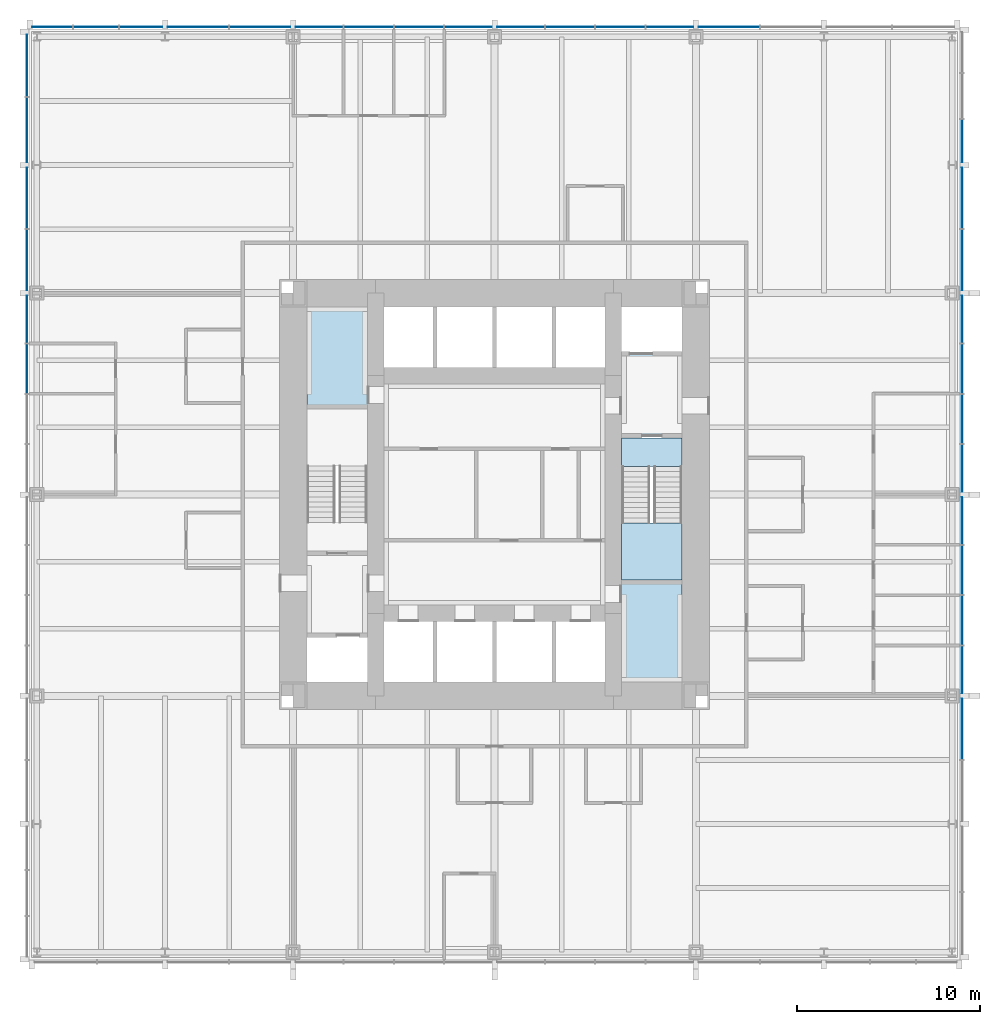
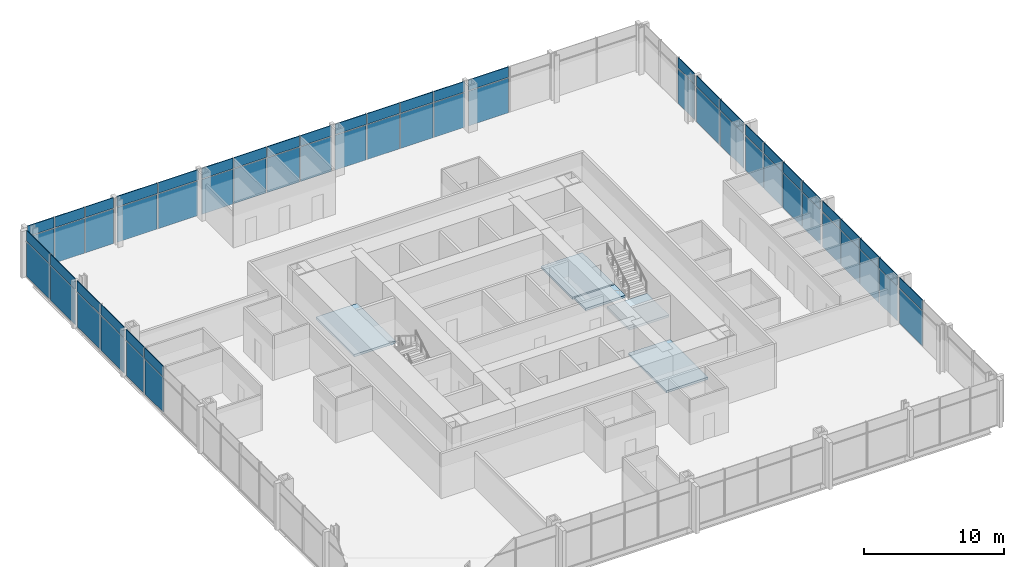
# One storey, part 8 of 12: 64 plates, 5 slabs, 4 elements without a shape of their own.
"""IFC4 building model written with IfcOpenShell, lengths in metres."""

from ifc_helpers import new_model, si_unit, direction, frame, origin, origin_2d, place, context, subcontext, project, spatial, polyline, rectangle, outline, extrude, material, layer, layer_set, type_object, element, aggregate, save


model = new_model("IFC4")

# Units and contexts
model_context = context("Model", 3, precision=1e-05, world=origin(), true_north=direction((0.0, 1.0)))
body_context = subcontext(model_context, "Body", "Model", "MODEL_VIEW")
ifc_project = project(units=[si_unit("LENGTHUNIT", "METRE"), si_unit("AREAUNIT", "SQUARE_METRE"), si_unit("VOLUMEUNIT", "CUBIC_METRE"), si_unit("PLANEANGLEUNIT", "RADIAN"), si_unit("MASSUNIT", "GRAM", prefix="KILO")], contexts=[model_context])

# Site, building, storey
site_placement = place(None, origin())
site = spatial("IfcSite", under=ifc_project, at=site_placement, CompositionType="ELEMENT")
building_placement = place(site_placement, origin())
building = spatial("IfcBuilding", under=site, at=building_placement, Name="Trevanion Tower", CompositionType="ELEMENT")
storey_placement = place(building_placement, frame((0.0, 0.0, 36.5)))
storey = spatial("IfcBuildingStorey", under=building, at=storey_placement, Name="L08", CompositionType="ELEMENT", Elevation=36.5)

# Curtain wall, plates
ifc_material_1 = material(Name="Aluminium and glass", Category="aluminium")
curtain_wall_type = type_object("IfcCurtainWallType", Name="CW1 curtain wall", PredefinedType="USERDEFINED", material=ifc_material_1)
curtain_wall_1_placement = place(storey_placement, origin())
curtain_wall_1 = element("IfcCurtainWall", 1, at=curtain_wall_1_placement, inside=storey, type_object=curtain_wall_type, Name="CW1 L08 0", ObjectType="UNITISED CURTAIN WALL", PredefinedType="USERDEFINED")
ifc_material_2 = material(Name="Aluminium spandrel panel", Category="aluminium")
ifc_layer_1 = layer(ifc_material_2, 0.06005859375)
ifc_layer_set_1 = layer_set([ifc_layer_1], Name="CW1 spandrel panel")
plate_type_1 = type_object("IfcPlateType", Name="CW1 spandrel panel", PredefinedType="CURTAIN_PANEL", material=ifc_layer_set_1)
plate_1_placement = place(storey_placement, frame((25.550048828125, -12.806396484375, 2.997314453125), z_axis=(0.0, 0.0, 1.0), x_axis=(0.0, 1.0, 0.0)))
plate_1 = element("IfcPlate", 2, at=plate_1_placement, type_object=plate_type_1, Name="CW1 panel 4.2", PredefinedType="CURTAIN_PANEL", context=body_context, shape_type="SweptSolid", body=[
    extrude(rectangle(XDim=3.3125, YDim=0.06005859375, at=origin_2d()), origin(), (0.0, 0.0, 1.0), 0.91259765625),
])
plate_2_placement = place(storey_placement, frame((25.550048828125, -9.56884765625, 2.997314453125), z_axis=(0.0, 0.0, 1.0), x_axis=(0.0, 1.0, 0.0)))
plate_2 = element("IfcPlate", 3, at=plate_2_placement, type_object=plate_type_1, Name="CW1 panel 5.2", PredefinedType="CURTAIN_PANEL", context=body_context, shape_type="SweptSolid", body=[
    extrude(rectangle(XDim=2.5625, YDim=0.06005859375, at=origin_2d()), origin(), (0.0, 0.0, 1.0), 0.91259765625),
])
plate_3_placement = place(storey_placement, frame((25.550048828125, -6.875, 2.997314453125), z_axis=(0.0, 0.0, 1.0), x_axis=(0.0, 1.0, 0.0)))
plate_3 = element("IfcPlate", 4, at=plate_3_placement, type_object=plate_type_1, Name="CW1 panel 6.2", PredefinedType="CURTAIN_PANEL", context=body_context, shape_type="SweptSolid", body=[
    extrude(rectangle(XDim=2.675048828125, YDim=0.06005859375, at=origin_2d()), origin(), (0.0, 0.0, 1.0), 0.91259765625),
])
plate_4_placement = place(storey_placement, frame((25.550048828125, -4.125, 2.997314453125), z_axis=(0.0, 0.0, 1.0), x_axis=(0.0, 1.0, 0.0)))
plate_4 = element("IfcPlate", 5, at=plate_4_placement, type_object=plate_type_1, Name="CW1 panel 7.2", PredefinedType="CURTAIN_PANEL", context=body_context, shape_type="SweptSolid", body=[
    extrude(rectangle(XDim=2.675048828125, YDim=0.06005859375, at=origin_2d()), origin(), (0.0, 0.0, 1.0), 0.91259765625),
])
plate_5_placement = place(storey_placement, frame((25.550048828125, -1.43115234375, 2.997314453125), z_axis=(0.0, 0.0, 1.0), x_axis=(0.0, 1.0, 0.0)))
plate_5 = element("IfcPlate", 6, at=plate_5_placement, type_object=plate_type_1, Name="CW1 panel 8.2", PredefinedType="CURTAIN_PANEL", context=body_context, shape_type="SweptSolid", body=[
    extrude(rectangle(XDim=2.5625, YDim=0.06005859375, at=origin_2d()), origin(), (0.0, 0.0, 1.0), 0.91259765625),
])
plate_6_placement = place(storey_placement, frame((25.550048828125, 1.43115234375, 2.997314453125), z_axis=(0.0, 0.0, 1.0), x_axis=(0.0, 1.0, 0.0)))
plate_6 = element("IfcPlate", 7, at=plate_6_placement, type_object=plate_type_1, Name="CW1 panel 9.2", PredefinedType="CURTAIN_PANEL", context=body_context, shape_type="SweptSolid", body=[
    extrude(rectangle(XDim=2.5625, YDim=0.06005859375, at=origin_2d()), origin(), (0.0, 0.0, 1.0), 0.91259765625),
])
plate_7_placement = place(storey_placement, frame((25.550048828125, 4.125, 2.997314453125), z_axis=(0.0, 0.0, 1.0), x_axis=(0.0, 1.0, 0.0)))
plate_7 = element("IfcPlate", 8, at=plate_7_placement, type_object=plate_type_1, Name="CW1 panel 10.2", PredefinedType="CURTAIN_PANEL", context=body_context, shape_type="SweptSolid", body=[
    extrude(rectangle(XDim=2.675048828125, YDim=0.06005859375, at=origin_2d()), origin(), (0.0, 0.0, 1.0), 0.91259765625),
])
plate_8_placement = place(storey_placement, frame((25.550048828125, 6.875, 2.997314453125), z_axis=(0.0, 0.0, 1.0), x_axis=(0.0, 1.0, 0.0)))
plate_8 = element("IfcPlate", 9, at=plate_8_placement, type_object=plate_type_1, Name="CW1 panel 11.2", PredefinedType="CURTAIN_PANEL", context=body_context, shape_type="SweptSolid", body=[
    extrude(rectangle(XDim=2.675048828125, YDim=0.06005859375, at=origin_2d()), origin(), (0.0, 0.0, 1.0), 0.91259765625),
])
plate_9_placement = place(storey_placement, frame((25.550048828125, 9.56884765625, 2.997314453125), z_axis=(0.0, 0.0, 1.0), x_axis=(0.0, 1.0, 0.0)))
plate_9 = element("IfcPlate", 10, at=plate_9_placement, type_object=plate_type_1, Name="CW1 panel 12.2", PredefinedType="CURTAIN_PANEL", context=body_context, shape_type="SweptSolid", body=[
    extrude(rectangle(XDim=2.5625, YDim=0.06005859375, at=origin_2d()), origin(), (0.0, 0.0, 1.0), 0.91259765625),
])
plate_10_placement = place(storey_placement, frame((25.550048828125, 12.80615234375, 2.997314453125), z_axis=(0.0, 0.0, 1.0), x_axis=(0.0, 1.0, 0.0)))
plate_10 = element("IfcPlate", 11, at=plate_10_placement, type_object=plate_type_1, Name="CW1 panel 13.2", PredefinedType="CURTAIN_PANEL", context=body_context, shape_type="SweptSolid", body=[
    extrude(rectangle(XDim=3.3125, YDim=0.06005859375, at=origin_2d()), origin(), (0.0, 0.0, 1.0), 0.91259765625),
])
plate_11_placement = place(storey_placement, frame((25.550048828125, 16.19384765625, 2.997314453125), z_axis=(0.0, 0.0, 1.0), x_axis=(0.0, 1.0, 0.0)))
plate_11 = element("IfcPlate", 12, at=plate_11_placement, type_object=plate_type_1, Name="CW1 panel 14.2", PredefinedType="CURTAIN_PANEL", context=body_context, shape_type="SweptSolid", body=[
    extrude(rectangle(XDim=3.3125, YDim=0.06005859375, at=origin_2d()), origin(), (0.0, 0.0, 1.0), 0.91259765625),
])
plate_12_placement = place(storey_placement, frame((25.550048828125, 19.314697265625, 2.997314453125), z_axis=(0.0, 0.0, 1.0), x_axis=(0.0, 1.0, 0.0)))
plate_12 = element("IfcPlate", 13, at=plate_12_placement, type_object=plate_type_1, Name="CW1 panel 15.2", PredefinedType="CURTAIN_PANEL", context=body_context, shape_type="SweptSolid", body=[
    extrude(rectangle(XDim=2.3291015625, YDim=0.06005859375, at=origin_2d()), origin(), (0.0, 0.0, 1.0), 0.91259765625),
])

curtain_wall_2_placement = place(storey_placement, origin())
curtain_wall_2 = element("IfcCurtainWall", 14, at=curtain_wall_2_placement, inside=storey, type_object=curtain_wall_type, Name="CW1 L08 1", ObjectType="UNITISED CURTAIN WALL", PredefinedType="USERDEFINED")
plate_13_placement = place(storey_placement, frame((12.806396484375, 25.550048828125, 2.997314453125), z_axis=(0.0, 0.0, 1.0), x_axis=(-1.0, 0.0, 0.0)))
plate_13 = element("IfcPlate", 15, at=plate_13_placement, type_object=plate_type_1, Name="CW1 panel 4.2", PredefinedType="CURTAIN_PANEL", context=body_context, shape_type="SweptSolid", body=[
    extrude(rectangle(XDim=3.3125, YDim=0.06005859375, at=origin_2d()), origin(), (0.0, 0.0, 1.0), 0.91259765625),
])
plate_14_placement = place(storey_placement, frame((9.56884765625, 25.550048828125, 2.997314453125), z_axis=(0.0, 0.0, 1.0), x_axis=(-1.0, 0.0, 0.0)))
plate_14 = element("IfcPlate", 16, at=plate_14_placement, type_object=plate_type_1, Name="CW1 panel 5.2", PredefinedType="CURTAIN_PANEL", context=body_context, shape_type="SweptSolid", body=[
    extrude(rectangle(XDim=2.5625, YDim=0.06005859375, at=origin_2d()), origin(), (0.0, 0.0, 1.0), 0.91259765625),
])
plate_15_placement = place(storey_placement, frame((6.875, 25.550048828125, 2.997314453125), z_axis=(0.0, 0.0, 1.0), x_axis=(-1.0, 0.0, 0.0)))
plate_15 = element("IfcPlate", 17, at=plate_15_placement, type_object=plate_type_1, Name="CW1 panel 6.2", PredefinedType="CURTAIN_PANEL", context=body_context, shape_type="SweptSolid", body=[
    extrude(rectangle(XDim=2.675048828125, YDim=0.06005859375, at=origin_2d()), origin(), (0.0, 0.0, 1.0), 0.91259765625),
])
plate_16_placement = place(storey_placement, frame((4.125, 25.550048828125, 2.997314453125), z_axis=(0.0, 0.0, 1.0), x_axis=(-1.0, 0.0, 0.0)))
plate_16 = element("IfcPlate", 18, at=plate_16_placement, type_object=plate_type_1, Name="CW1 panel 7.2", PredefinedType="CURTAIN_PANEL", context=body_context, shape_type="SweptSolid", body=[
    extrude(rectangle(XDim=2.675048828125, YDim=0.06005859375, at=origin_2d()), origin(), (0.0, 0.0, 1.0), 0.91259765625),
])
plate_17_placement = place(storey_placement, frame((1.43115234375, 25.550048828125, 2.997314453125), z_axis=(0.0, 0.0, 1.0), x_axis=(-1.0, 0.0, 0.0)))
plate_17 = element("IfcPlate", 19, at=plate_17_placement, type_object=plate_type_1, Name="CW1 panel 8.2", PredefinedType="CURTAIN_PANEL", context=body_context, shape_type="SweptSolid", body=[
    extrude(rectangle(XDim=2.5625, YDim=0.06005859375, at=origin_2d()), origin(), (0.0, 0.0, 1.0), 0.91259765625),
])
plate_18_placement = place(storey_placement, frame((-1.43115234375, 25.550048828125, 2.997314453125), z_axis=(0.0, 0.0, 1.0), x_axis=(-1.0, 0.0, 0.0)))
plate_18 = element("IfcPlate", 20, at=plate_18_placement, type_object=plate_type_1, Name="CW1 panel 9.2", PredefinedType="CURTAIN_PANEL", context=body_context, shape_type="SweptSolid", body=[
    extrude(rectangle(XDim=2.5625, YDim=0.06005859375, at=origin_2d()), origin(), (0.0, 0.0, 1.0), 0.91259765625),
])
plate_19_placement = place(storey_placement, frame((-4.125, 25.550048828125, 2.997314453125), z_axis=(0.0, 0.0, 1.0), x_axis=(-1.0, 0.0, 0.0)))
plate_19 = element("IfcPlate", 21, at=plate_19_placement, type_object=plate_type_1, Name="CW1 panel 10.2", PredefinedType="CURTAIN_PANEL", context=body_context, shape_type="SweptSolid", body=[
    extrude(rectangle(XDim=2.675048828125, YDim=0.06005859375, at=origin_2d()), origin(), (0.0, 0.0, 1.0), 0.91259765625),
])
plate_20_placement = place(storey_placement, frame((-6.875, 25.550048828125, 2.997314453125), z_axis=(0.0, 0.0, 1.0), x_axis=(-1.0, 0.0, 0.0)))
plate_20 = element("IfcPlate", 22, at=plate_20_placement, type_object=plate_type_1, Name="CW1 panel 11.2", PredefinedType="CURTAIN_PANEL", context=body_context, shape_type="SweptSolid", body=[
    extrude(rectangle(XDim=2.675048828125, YDim=0.06005859375, at=origin_2d()), origin(), (0.0, 0.0, 1.0), 0.91259765625),
])
plate_21_placement = place(storey_placement, frame((-9.56884765625, 25.550048828125, 2.997314453125), z_axis=(0.0, 0.0, 1.0), x_axis=(-1.0, 0.0, 0.0)))
plate_21 = element("IfcPlate", 23, at=plate_21_placement, type_object=plate_type_1, Name="CW1 panel 12.2", PredefinedType="CURTAIN_PANEL", context=body_context, shape_type="SweptSolid", body=[
    extrude(rectangle(XDim=2.5625, YDim=0.06005859375, at=origin_2d()), origin(), (0.0, 0.0, 1.0), 0.91259765625),
])
plate_22_placement = place(storey_placement, frame((-12.80615234375, 25.550048828125, 2.997314453125), z_axis=(0.0, 0.0, 1.0), x_axis=(-1.0, 0.0, 0.0)))
plate_22 = element("IfcPlate", 24, at=plate_22_placement, type_object=plate_type_1, Name="CW1 panel 13.2", PredefinedType="CURTAIN_PANEL", context=body_context, shape_type="SweptSolid", body=[
    extrude(rectangle(XDim=3.3125, YDim=0.06005859375, at=origin_2d()), origin(), (0.0, 0.0, 1.0), 0.91259765625),
])
plate_23_placement = place(storey_placement, frame((-16.19384765625, 25.550048828125, 2.997314453125), z_axis=(0.0, 0.0, 1.0), x_axis=(-1.0, 0.0, 0.0)))
plate_23 = element("IfcPlate", 25, at=plate_23_placement, type_object=plate_type_1, Name="CW1 panel 14.2", PredefinedType="CURTAIN_PANEL", context=body_context, shape_type="SweptSolid", body=[
    extrude(rectangle(XDim=3.3125, YDim=0.06005859375, at=origin_2d()), origin(), (0.0, 0.0, 1.0), 0.91259765625),
])
plate_24_placement = place(storey_placement, frame((-19.314697265625, 25.550048828125, 2.997314453125), z_axis=(0.0, 0.0, 1.0), x_axis=(-1.0, 0.0, 0.0)))
plate_24 = element("IfcPlate", 26, at=plate_24_placement, type_object=plate_type_1, Name="CW1 panel 15.2", PredefinedType="CURTAIN_PANEL", context=body_context, shape_type="SweptSolid", body=[
    extrude(rectangle(XDim=2.3291015625, YDim=0.06005859375, at=origin_2d()), origin(), (0.0, 0.0, 1.0), 0.91259765625),
])
plate_25_placement = place(storey_placement, frame((-21.77490234375, 25.550048828125, 2.997314453125), z_axis=(0.0, 0.0, 1.0), x_axis=(-1.0, 0.0, 0.0)))
plate_25 = element("IfcPlate", 27, at=plate_25_placement, type_object=plate_type_1, Name="CW1 panel 16.2", PredefinedType="CURTAIN_PANEL", context=body_context, shape_type="SweptSolid", body=[
    extrude(rectangle(XDim=2.441650390625, YDim=0.06005859375, at=origin_2d()), origin(), (0.0, 0.0, 1.0), 0.91259765625),
])
plate_26_placement = place(storey_placement, frame((-24.160400390625, 25.550048828125, 2.997314453125), z_axis=(0.0, 0.0, 1.0), x_axis=(-1.0, 0.0, 0.0)))
plate_26 = element("IfcPlate", 28, at=plate_26_placement, type_object=plate_type_1, Name="CW1 panel 17.2", PredefinedType="CURTAIN_PANEL", context=body_context, shape_type="SweptSolid", body=[
    extrude(rectangle(XDim=2.17919921875, YDim=0.06005859375, at=origin_2d()), origin(), (0.0, 0.0, 1.0), 0.91259765625),
])

curtain_wall_3_placement = place(storey_placement, origin())
curtain_wall_3 = element("IfcCurtainWall", 29, at=curtain_wall_3_placement, inside=storey, type_object=curtain_wall_type, Name="CW1 L08 2", ObjectType="UNITISED CURTAIN WALL", PredefinedType="USERDEFINED")
plate_27_placement = place(storey_placement, frame((-25.550048828125, 23.433837890625, 2.997314453125), z_axis=(0.0, 0.0, 1.0), x_axis=(0.0, -1.0, 0.0)))
plate_27 = element("IfcPlate", 30, at=plate_27_placement, type_object=plate_type_1, Name="CW1 panel 1.2", PredefinedType="CURTAIN_PANEL", context=body_context, shape_type="SweptSolid", body=[
    extrude(rectangle(XDim=3.37255859375, YDim=0.06005859375, at=origin_2d()), origin(), (0.0, 0.0, 1.0), 0.91259765625),
])
plate_28_placement = place(storey_placement, frame((-25.550048828125, 19.911376953125, 2.997314453125), z_axis=(0.0, 0.0, 1.0), x_axis=(0.0, -1.0, 0.0)))
plate_28 = element("IfcPlate", 31, at=plate_28_placement, type_object=plate_type_1, Name="CW1 panel 2.2", PredefinedType="CURTAIN_PANEL", context=body_context, shape_type="SweptSolid", body=[
    extrude(rectangle(XDim=3.5224609375, YDim=0.06005859375, at=origin_2d()), origin(), (0.0, 0.0, 1.0), 0.91259765625),
])
plate_29_placement = place(storey_placement, frame((-25.550048828125, 16.19384765625, 2.997314453125), z_axis=(0.0, 0.0, 1.0), x_axis=(0.0, -1.0, 0.0)))
plate_29 = element("IfcPlate", 32, at=plate_29_placement, type_object=plate_type_1, Name="CW1 panel 3.2", PredefinedType="CURTAIN_PANEL", context=body_context, shape_type="SweptSolid", body=[
    extrude(rectangle(XDim=3.3125, YDim=0.06005859375, at=origin_2d()), origin(), (0.0, 0.0, 1.0), 0.91259765625),
])
plate_30_placement = place(storey_placement, frame((-25.550048828125, 12.806396484375, 2.997314453125), z_axis=(0.0, 0.0, 1.0), x_axis=(0.0, -1.0, 0.0)))
plate_30 = element("IfcPlate", 33, at=plate_30_placement, type_object=plate_type_1, Name="CW1 panel 4.2", PredefinedType="CURTAIN_PANEL", context=body_context, shape_type="SweptSolid", body=[
    extrude(rectangle(XDim=3.3125, YDim=0.06005859375, at=origin_2d()), origin(), (0.0, 0.0, 1.0), 0.91259765625),
])
plate_31_placement = place(storey_placement, frame((-25.550048828125, 9.56884765625, 2.997314453125), z_axis=(0.0, 0.0, 1.0), x_axis=(0.0, -1.0, 0.0)))
plate_31 = element("IfcPlate", 34, at=plate_31_placement, type_object=plate_type_1, Name="CW1 panel 5.2", PredefinedType="CURTAIN_PANEL", context=body_context, shape_type="SweptSolid", body=[
    extrude(rectangle(XDim=2.5625, YDim=0.06005859375, at=origin_2d()), origin(), (0.0, 0.0, 1.0), 0.91259765625),
])
plate_32_placement = place(storey_placement, frame((-25.550048828125, 6.875, 2.997314453125), z_axis=(0.0, 0.0, 1.0), x_axis=(0.0, -1.0, 0.0)))
plate_32 = element("IfcPlate", 35, at=plate_32_placement, type_object=plate_type_1, Name="CW1 panel 6.2", PredefinedType="CURTAIN_PANEL", context=body_context, shape_type="SweptSolid", body=[
    extrude(rectangle(XDim=2.675048828125, YDim=0.06005859375, at=origin_2d()), origin(), (0.0, 0.0, 1.0), 0.91259765625),
])

# Plate
ifc_material_3 = material(Name="Insulating glass unit", Category="glass")
ifc_layer_2 = layer(ifc_material_3, 0.028076171875)
ifc_layer_set_2 = layer_set([ifc_layer_2], Name="CW1 vision panel")
plate_type_2 = type_object("IfcPlateType", Name="CW1 vision panel", PredefinedType="CURTAIN_PANEL", material=ifc_layer_set_2)
plate_33_placement = place(storey_placement, frame((25.550048828125, -12.806396484375, -0.114990234375), z_axis=(0.0, 0.0, 1.0), x_axis=(0.0, 1.0, 0.0)))
plate_33 = element("IfcPlate", 36, at=plate_33_placement, type_object=plate_type_2, Name="CW1 panel 4.1", PredefinedType="CURTAIN_PANEL", context=body_context, shape_type="SweptSolid", body=[
    extrude(rectangle(XDim=3.3125, YDim=0.028076171875, at=origin_2d()), origin(), (0.0, 0.0, 1.0), 3.03759765625),
])

plate_34_placement = place(storey_placement, frame((25.550048828125, -9.56884765625, -0.114990234375), z_axis=(0.0, 0.0, 1.0), x_axis=(0.0, 1.0, 0.0)))
plate_34 = element("IfcPlate", 37, at=plate_34_placement, type_object=plate_type_2, Name="CW1 panel 5.1", PredefinedType="CURTAIN_PANEL", context=body_context, shape_type="SweptSolid", body=[
    extrude(rectangle(XDim=2.5625, YDim=0.028076171875, at=origin_2d()), origin(), (0.0, 0.0, 1.0), 3.03759765625),
])

plate_35_placement = place(storey_placement, frame((25.550048828125, -6.875, -0.114990234375), z_axis=(0.0, 0.0, 1.0), x_axis=(0.0, 1.0, 0.0)))
plate_35 = element("IfcPlate", 38, at=plate_35_placement, type_object=plate_type_2, Name="CW1 panel 6.1", PredefinedType="CURTAIN_PANEL", context=body_context, shape_type="SweptSolid", body=[
    extrude(rectangle(XDim=2.675048828125, YDim=0.028076171875, at=origin_2d()), origin(), (0.0, 0.0, 1.0), 3.03759765625),
])

plate_36_placement = place(storey_placement, frame((25.550048828125, -4.125, -0.114990234375), z_axis=(0.0, 0.0, 1.0), x_axis=(0.0, 1.0, 0.0)))
plate_36 = element("IfcPlate", 39, at=plate_36_placement, type_object=plate_type_2, Name="CW1 panel 7.1", PredefinedType="CURTAIN_PANEL", context=body_context, shape_type="SweptSolid", body=[
    extrude(rectangle(XDim=2.675048828125, YDim=0.028076171875, at=origin_2d()), origin(), (0.0, 0.0, 1.0), 3.03759765625),
])

plate_37_placement = place(storey_placement, frame((25.550048828125, -1.43115234375, -0.114990234375), z_axis=(0.0, 0.0, 1.0), x_axis=(0.0, 1.0, 0.0)))
plate_37 = element("IfcPlate", 40, at=plate_37_placement, type_object=plate_type_2, Name="CW1 panel 8.1", PredefinedType="CURTAIN_PANEL", context=body_context, shape_type="SweptSolid", body=[
    extrude(rectangle(XDim=2.5625, YDim=0.028076171875, at=origin_2d()), origin(), (0.0, 0.0, 1.0), 3.03759765625),
])

plate_38_placement = place(storey_placement, frame((25.550048828125, 1.43115234375, -0.114990234375), z_axis=(0.0, 0.0, 1.0), x_axis=(0.0, 1.0, 0.0)))
plate_38 = element("IfcPlate", 41, at=plate_38_placement, type_object=plate_type_2, Name="CW1 panel 9.1", PredefinedType="CURTAIN_PANEL", context=body_context, shape_type="SweptSolid", body=[
    extrude(rectangle(XDim=2.5625, YDim=0.028076171875, at=origin_2d()), origin(), (0.0, 0.0, 1.0), 3.03759765625),
])

plate_39_placement = place(storey_placement, frame((25.550048828125, 4.125, -0.114990234375), z_axis=(0.0, 0.0, 1.0), x_axis=(0.0, 1.0, 0.0)))
plate_39 = element("IfcPlate", 42, at=plate_39_placement, type_object=plate_type_2, Name="CW1 panel 10.1", PredefinedType="CURTAIN_PANEL", context=body_context, shape_type="SweptSolid", body=[
    extrude(rectangle(XDim=2.675048828125, YDim=0.028076171875, at=origin_2d()), origin(), (0.0, 0.0, 1.0), 3.03759765625),
])

plate_40_placement = place(storey_placement, frame((25.550048828125, 6.875, -0.114990234375), z_axis=(0.0, 0.0, 1.0), x_axis=(0.0, 1.0, 0.0)))
plate_40 = element("IfcPlate", 43, at=plate_40_placement, type_object=plate_type_2, Name="CW1 panel 11.1", PredefinedType="CURTAIN_PANEL", context=body_context, shape_type="SweptSolid", body=[
    extrude(rectangle(XDim=2.675048828125, YDim=0.028076171875, at=origin_2d()), origin(), (0.0, 0.0, 1.0), 3.03759765625),
])

plate_41_placement = place(storey_placement, frame((25.550048828125, 9.56884765625, -0.114990234375), z_axis=(0.0, 0.0, 1.0), x_axis=(0.0, 1.0, 0.0)))
plate_41 = element("IfcPlate", 44, at=plate_41_placement, type_object=plate_type_2, Name="CW1 panel 12.1", PredefinedType="CURTAIN_PANEL", context=body_context, shape_type="SweptSolid", body=[
    extrude(rectangle(XDim=2.5625, YDim=0.028076171875, at=origin_2d()), origin(), (0.0, 0.0, 1.0), 3.03759765625),
])

plate_42_placement = place(storey_placement, frame((25.550048828125, 12.80615234375, -0.114990234375), z_axis=(0.0, 0.0, 1.0), x_axis=(0.0, 1.0, 0.0)))
plate_42 = element("IfcPlate", 45, at=plate_42_placement, type_object=plate_type_2, Name="CW1 panel 13.1", PredefinedType="CURTAIN_PANEL", context=body_context, shape_type="SweptSolid", body=[
    extrude(rectangle(XDim=3.3125, YDim=0.028076171875, at=origin_2d()), origin(), (0.0, 0.0, 1.0), 3.03759765625),
])

plate_43_placement = place(storey_placement, frame((25.550048828125, 16.19384765625, -0.114990234375), z_axis=(0.0, 0.0, 1.0), x_axis=(0.0, 1.0, 0.0)))
plate_43 = element("IfcPlate", 46, at=plate_43_placement, type_object=plate_type_2, Name="CW1 panel 14.1", PredefinedType="CURTAIN_PANEL", context=body_context, shape_type="SweptSolid", body=[
    extrude(rectangle(XDim=3.3125, YDim=0.028076171875, at=origin_2d()), origin(), (0.0, 0.0, 1.0), 3.03759765625),
])

plate_44_placement = place(storey_placement, frame((25.550048828125, 19.314697265625, -0.114990234375), z_axis=(0.0, 0.0, 1.0), x_axis=(0.0, 1.0, 0.0)))
plate_44 = element("IfcPlate", 47, at=plate_44_placement, type_object=plate_type_2, Name="CW1 panel 15.1", PredefinedType="CURTAIN_PANEL", context=body_context, shape_type="SweptSolid", body=[
    extrude(rectangle(XDim=2.3291015625, YDim=0.028076171875, at=origin_2d()), origin(), (0.0, 0.0, 1.0), 3.03759765625),
])

aggregate(curtain_wall_1, [plate_33, plate_1, plate_34, plate_2, plate_35, plate_3, plate_36, plate_4, plate_37, plate_5, plate_38, plate_6, plate_39, plate_7, plate_40, plate_8, plate_41, plate_9, plate_42, plate_10, plate_43, plate_11, plate_44, plate_12])

plate_45_placement = place(storey_placement, frame((12.806396484375, 25.550048828125, -0.114990234375), z_axis=(0.0, 0.0, 1.0), x_axis=(-1.0, 0.0, 0.0)))
plate_45 = element("IfcPlate", 48, at=plate_45_placement, type_object=plate_type_2, Name="CW1 panel 4.1", PredefinedType="CURTAIN_PANEL", context=body_context, shape_type="SweptSolid", body=[
    extrude(rectangle(XDim=3.3125, YDim=0.028076171875, at=origin_2d()), origin(), (0.0, 0.0, 1.0), 3.03759765625),
])

plate_46_placement = place(storey_placement, frame((9.56884765625, 25.550048828125, -0.114990234375), z_axis=(0.0, 0.0, 1.0), x_axis=(-1.0, 0.0, 0.0)))
plate_46 = element("IfcPlate", 49, at=plate_46_placement, type_object=plate_type_2, Name="CW1 panel 5.1", PredefinedType="CURTAIN_PANEL", context=body_context, shape_type="SweptSolid", body=[
    extrude(rectangle(XDim=2.5625, YDim=0.028076171875, at=origin_2d()), origin(), (0.0, 0.0, 1.0), 3.03759765625),
])

plate_47_placement = place(storey_placement, frame((6.875, 25.550048828125, -0.114990234375), z_axis=(0.0, 0.0, 1.0), x_axis=(-1.0, 0.0, 0.0)))
plate_47 = element("IfcPlate", 50, at=plate_47_placement, type_object=plate_type_2, Name="CW1 panel 6.1", PredefinedType="CURTAIN_PANEL", context=body_context, shape_type="SweptSolid", body=[
    extrude(rectangle(XDim=2.675048828125, YDim=0.028076171875, at=origin_2d()), origin(), (0.0, 0.0, 1.0), 3.03759765625),
])

plate_48_placement = place(storey_placement, frame((4.125, 25.550048828125, -0.114990234375), z_axis=(0.0, 0.0, 1.0), x_axis=(-1.0, 0.0, 0.0)))
plate_48 = element("IfcPlate", 51, at=plate_48_placement, type_object=plate_type_2, Name="CW1 panel 7.1", PredefinedType="CURTAIN_PANEL", context=body_context, shape_type="SweptSolid", body=[
    extrude(rectangle(XDim=2.675048828125, YDim=0.028076171875, at=origin_2d()), origin(), (0.0, 0.0, 1.0), 3.03759765625),
])

plate_49_placement = place(storey_placement, frame((1.43115234375, 25.550048828125, -0.114990234375), z_axis=(0.0, 0.0, 1.0), x_axis=(-1.0, 0.0, 0.0)))
plate_49 = element("IfcPlate", 52, at=plate_49_placement, type_object=plate_type_2, Name="CW1 panel 8.1", PredefinedType="CURTAIN_PANEL", context=body_context, shape_type="SweptSolid", body=[
    extrude(rectangle(XDim=2.5625, YDim=0.028076171875, at=origin_2d()), origin(), (0.0, 0.0, 1.0), 3.03759765625),
])

plate_50_placement = place(storey_placement, frame((-1.43115234375, 25.550048828125, -0.114990234375), z_axis=(0.0, 0.0, 1.0), x_axis=(-1.0, 0.0, 0.0)))
plate_50 = element("IfcPlate", 53, at=plate_50_placement, type_object=plate_type_2, Name="CW1 panel 9.1", PredefinedType="CURTAIN_PANEL", context=body_context, shape_type="SweptSolid", body=[
    extrude(rectangle(XDim=2.5625, YDim=0.028076171875, at=origin_2d()), origin(), (0.0, 0.0, 1.0), 3.03759765625),
])

plate_51_placement = place(storey_placement, frame((-4.125, 25.550048828125, -0.114990234375), z_axis=(0.0, 0.0, 1.0), x_axis=(-1.0, 0.0, 0.0)))
plate_51 = element("IfcPlate", 54, at=plate_51_placement, type_object=plate_type_2, Name="CW1 panel 10.1", PredefinedType="CURTAIN_PANEL", context=body_context, shape_type="SweptSolid", body=[
    extrude(rectangle(XDim=2.675048828125, YDim=0.028076171875, at=origin_2d()), origin(), (0.0, 0.0, 1.0), 3.03759765625),
])

plate_52_placement = place(storey_placement, frame((-6.875, 25.550048828125, -0.114990234375), z_axis=(0.0, 0.0, 1.0), x_axis=(-1.0, 0.0, 0.0)))
plate_52 = element("IfcPlate", 55, at=plate_52_placement, type_object=plate_type_2, Name="CW1 panel 11.1", PredefinedType="CURTAIN_PANEL", context=body_context, shape_type="SweptSolid", body=[
    extrude(rectangle(XDim=2.675048828125, YDim=0.028076171875, at=origin_2d()), origin(), (0.0, 0.0, 1.0), 3.03759765625),
])

plate_53_placement = place(storey_placement, frame((-9.56884765625, 25.550048828125, -0.114990234375), z_axis=(0.0, 0.0, 1.0), x_axis=(-1.0, 0.0, 0.0)))
plate_53 = element("IfcPlate", 56, at=plate_53_placement, type_object=plate_type_2, Name="CW1 panel 12.1", PredefinedType="CURTAIN_PANEL", context=body_context, shape_type="SweptSolid", body=[
    extrude(rectangle(XDim=2.5625, YDim=0.028076171875, at=origin_2d()), origin(), (0.0, 0.0, 1.0), 3.03759765625),
])

plate_54_placement = place(storey_placement, frame((-12.80615234375, 25.550048828125, -0.114990234375), z_axis=(0.0, 0.0, 1.0), x_axis=(-1.0, 0.0, 0.0)))
plate_54 = element("IfcPlate", 57, at=plate_54_placement, type_object=plate_type_2, Name="CW1 panel 13.1", PredefinedType="CURTAIN_PANEL", context=body_context, shape_type="SweptSolid", body=[
    extrude(rectangle(XDim=3.3125, YDim=0.028076171875, at=origin_2d()), origin(), (0.0, 0.0, 1.0), 3.03759765625),
])

plate_55_placement = place(storey_placement, frame((-16.19384765625, 25.550048828125, -0.114990234375), z_axis=(0.0, 0.0, 1.0), x_axis=(-1.0, 0.0, 0.0)))
plate_55 = element("IfcPlate", 58, at=plate_55_placement, type_object=plate_type_2, Name="CW1 panel 14.1", PredefinedType="CURTAIN_PANEL", context=body_context, shape_type="SweptSolid", body=[
    extrude(rectangle(XDim=3.3125, YDim=0.028076171875, at=origin_2d()), origin(), (0.0, 0.0, 1.0), 3.03759765625),
])

plate_56_placement = place(storey_placement, frame((-19.314697265625, 25.550048828125, -0.114990234375), z_axis=(0.0, 0.0, 1.0), x_axis=(-1.0, 0.0, 0.0)))
plate_56 = element("IfcPlate", 59, at=plate_56_placement, type_object=plate_type_2, Name="CW1 panel 15.1", PredefinedType="CURTAIN_PANEL", context=body_context, shape_type="SweptSolid", body=[
    extrude(rectangle(XDim=2.3291015625, YDim=0.028076171875, at=origin_2d()), origin(), (0.0, 0.0, 1.0), 3.03759765625),
])

plate_57_placement = place(storey_placement, frame((-21.77490234375, 25.550048828125, -0.114990234375), z_axis=(0.0, 0.0, 1.0), x_axis=(-1.0, 0.0, 0.0)))
plate_57 = element("IfcPlate", 60, at=plate_57_placement, type_object=plate_type_2, Name="CW1 panel 16.1", PredefinedType="CURTAIN_PANEL", context=body_context, shape_type="SweptSolid", body=[
    extrude(rectangle(XDim=2.441650390625, YDim=0.028076171875, at=origin_2d()), origin(), (0.0, 0.0, 1.0), 3.03759765625),
])

plate_58_placement = place(storey_placement, frame((-24.160400390625, 25.550048828125, -0.114990234375), z_axis=(0.0, 0.0, 1.0), x_axis=(-1.0, 0.0, 0.0)))
plate_58 = element("IfcPlate", 61, at=plate_58_placement, type_object=plate_type_2, Name="CW1 panel 17.1", PredefinedType="CURTAIN_PANEL", context=body_context, shape_type="SweptSolid", body=[
    extrude(rectangle(XDim=2.17919921875, YDim=0.028076171875, at=origin_2d()), origin(), (0.0, 0.0, 1.0), 3.03759765625),
])

aggregate(curtain_wall_2, [plate_45, plate_13, plate_46, plate_14, plate_47, plate_15, plate_48, plate_16, plate_49, plate_17, plate_50, plate_18, plate_51, plate_19, plate_52, plate_20, plate_53, plate_21, plate_54, plate_22, plate_55, plate_23, plate_56, plate_24, plate_57, plate_25, plate_58, plate_26])

plate_59_placement = place(storey_placement, frame((-25.550048828125, 23.433837890625, -0.114990234375), z_axis=(0.0, 0.0, 1.0), x_axis=(0.0, -1.0, 0.0)))
plate_59 = element("IfcPlate", 62, at=plate_59_placement, type_object=plate_type_2, Name="CW1 panel 1.1", PredefinedType="CURTAIN_PANEL", context=body_context, shape_type="SweptSolid", body=[
    extrude(rectangle(XDim=3.37255859375, YDim=0.028076171875, at=origin_2d()), origin(), (0.0, 0.0, 1.0), 3.03759765625),
])

plate_60_placement = place(storey_placement, frame((-25.550048828125, 19.911376953125, -0.114990234375), z_axis=(0.0, 0.0, 1.0), x_axis=(0.0, -1.0, 0.0)))
plate_60 = element("IfcPlate", 63, at=plate_60_placement, type_object=plate_type_2, Name="CW1 panel 2.1", PredefinedType="CURTAIN_PANEL", context=body_context, shape_type="SweptSolid", body=[
    extrude(rectangle(XDim=3.5224609375, YDim=0.028076171875, at=origin_2d()), origin(), (0.0, 0.0, 1.0), 3.03759765625),
])

plate_61_placement = place(storey_placement, frame((-25.550048828125, 16.19384765625, -0.114990234375), z_axis=(0.0, 0.0, 1.0), x_axis=(0.0, -1.0, 0.0)))
plate_61 = element("IfcPlate", 64, at=plate_61_placement, type_object=plate_type_2, Name="CW1 panel 3.1", PredefinedType="CURTAIN_PANEL", context=body_context, shape_type="SweptSolid", body=[
    extrude(rectangle(XDim=3.3125, YDim=0.028076171875, at=origin_2d()), origin(), (0.0, 0.0, 1.0), 3.03759765625),
])

plate_62_placement = place(storey_placement, frame((-25.550048828125, 12.806396484375, -0.114990234375), z_axis=(0.0, 0.0, 1.0), x_axis=(0.0, -1.0, 0.0)))
plate_62 = element("IfcPlate", 65, at=plate_62_placement, type_object=plate_type_2, Name="CW1 panel 4.1", PredefinedType="CURTAIN_PANEL", context=body_context, shape_type="SweptSolid", body=[
    extrude(rectangle(XDim=3.3125, YDim=0.028076171875, at=origin_2d()), origin(), (0.0, 0.0, 1.0), 3.03759765625),
])

plate_63_placement = place(storey_placement, frame((-25.550048828125, 9.56884765625, -0.114990234375), z_axis=(0.0, 0.0, 1.0), x_axis=(0.0, -1.0, 0.0)))
plate_63 = element("IfcPlate", 66, at=plate_63_placement, type_object=plate_type_2, Name="CW1 panel 5.1", PredefinedType="CURTAIN_PANEL", context=body_context, shape_type="SweptSolid", body=[
    extrude(rectangle(XDim=2.5625, YDim=0.028076171875, at=origin_2d()), origin(), (0.0, 0.0, 1.0), 3.03759765625),
])

plate_64_placement = place(storey_placement, frame((-25.550048828125, 6.875, -0.114990234375), z_axis=(0.0, 0.0, 1.0), x_axis=(0.0, -1.0, 0.0)))
plate_64 = element("IfcPlate", 67, at=plate_64_placement, type_object=plate_type_2, Name="CW1 panel 6.1", PredefinedType="CURTAIN_PANEL", context=body_context, shape_type="SweptSolid", body=[
    extrude(rectangle(XDim=2.675048828125, YDim=0.028076171875, at=origin_2d()), origin(), (0.0, 0.0, 1.0), 3.03759765625),
])

aggregate(curtain_wall_3, [plate_59, plate_27, plate_60, plate_28, plate_61, plate_29, plate_62, plate_30, plate_63, plate_31, plate_64, plate_32])

# Slabs
ifc_material_4 = material(Name="Concrete 5,000 psi", Category="concrete")
ifc_layer_3 = layer(ifc_material_4, 0.199951171875)
ifc_layer_set_3 = layer_set([ifc_layer_3], Name="SL2 core floor 200")
slab_type_1 = type_object("IfcSlabType", Name="SL2 core floor 200", PredefinedType="FLOOR", material=ifc_layer_set_3)
slab_1_placement = place(storey_placement, frame((0.0, 0.0, -0.199951171875)))
element("IfcSlab", 68, at=slab_1_placement, inside=storey, type_object=slab_type_1, Name="SL2 L08 core floor 1", PredefinedType="FLOOR", context=body_context, shape_type="SweptSolid", body=[
    extrude(outline(polyline([(10.25, -4.804931640625), (10.25, -10.25), (6.830078125, -10.25), (6.830078125, -4.804931640625), (10.25, -4.804931640625)])), origin(), (0.0, 0.0, 1.0), 0.199951171875),
])
slab_2_placement = place(storey_placement, frame((0.0, 0.0, -0.199951171875)))
element("IfcSlab", 69, at=slab_2_placement, inside=storey, type_object=slab_type_1, Name="SL2 L08 core floor 4", PredefinedType="FLOOR", context=body_context, shape_type="SweptSolid", body=[
    extrude(outline(polyline([(6.830078125, 3.205078125), (6.830078125, 7.695068359375), (10.25, 7.695068359375), (10.25, 3.205078125), (6.830078125, 3.205078125)])), origin(), (0.0, 0.0, 1.0), 0.199951171875),
])
slab_3_placement = place(storey_placement, frame((0.0, 0.0, -0.199951171875)))
element("IfcSlab", 70, at=slab_3_placement, inside=storey, type_object=slab_type_1, Name="SL2 L08 core floor 5", PredefinedType="FLOOR", context=body_context, shape_type="SweptSolid", body=[
    extrude(outline(polyline([(-6.830078125, 4.804931640625), (-10.25, 4.804931640625), (-10.25, 10.25), (-6.830078125, 10.25), (-6.830078125, 4.804931640625)])), origin(), (0.0, 0.0, 1.0), 0.199951171875),
])

# Stair, slabs
ifc_material_5 = material(Name="Concrete 5,000 psi on steel stringers", Category="concrete")
stair_type = type_object("IfcStairType", Name="ST stair", PredefinedType="HALF_TURN_STAIR", material=ifc_material_5)
stair_placement = place(storey_placement, origin())
stair = element("IfcStair", 71, at=stair_placement, inside=storey, type_object=stair_type, Name="ST1 L08", PredefinedType="HALF_TURN_STAIR")
ifc_material_6 = material(Name="Concrete 5,000 psi in steel pan", Category="concrete")
ifc_layer_4 = layer(ifc_material_6, 0.199951171875)
ifc_layer_set_4 = layer_set([ifc_layer_4], Name="STL stair landing 200")
slab_type_2 = type_object("IfcSlabType", Name="STL stair landing 200", PredefinedType="LANDING", material=ifc_layer_set_4)
slab_4_placement = place(storey_placement, frame((0.0, 0.0, -0.199951171875)))
slab_4 = element("IfcSlab", 72, at=slab_4_placement, type_object=slab_type_2, Name="ST1 landing 1", PredefinedType="LANDING", context=body_context, shape_type="SweptSolid", body=[
    extrude(outline(polyline([(6.949951171875, 1.52490234375), (10.25, 1.52490234375), (10.25, 3.074951171875), (6.949951171875, 3.074951171875), (6.949951171875, 1.52490234375)])), origin(), (0.0, 0.0, 1.0), 0.199951171875),
])
slab_5_placement = place(storey_placement, frame((0.0, 0.0, 1.85009765625)))
slab_5 = element("IfcSlab", 73, at=slab_5_placement, type_object=slab_type_2, Name="ST1 landing 2", PredefinedType="LANDING", context=body_context, shape_type="SweptSolid", body=[
    extrude(outline(polyline([(6.949951171875, -4.675048828125), (10.25, -4.675048828125), (10.25, -1.554931640625), (6.949951171875, -1.554931640625), (6.949951171875, -4.675048828125)])), origin(), (0.0, 0.0, 1.0), 0.199951171875),
])
aggregate(stair, [slab_4, slab_5])

save(model, "model.ifc")
